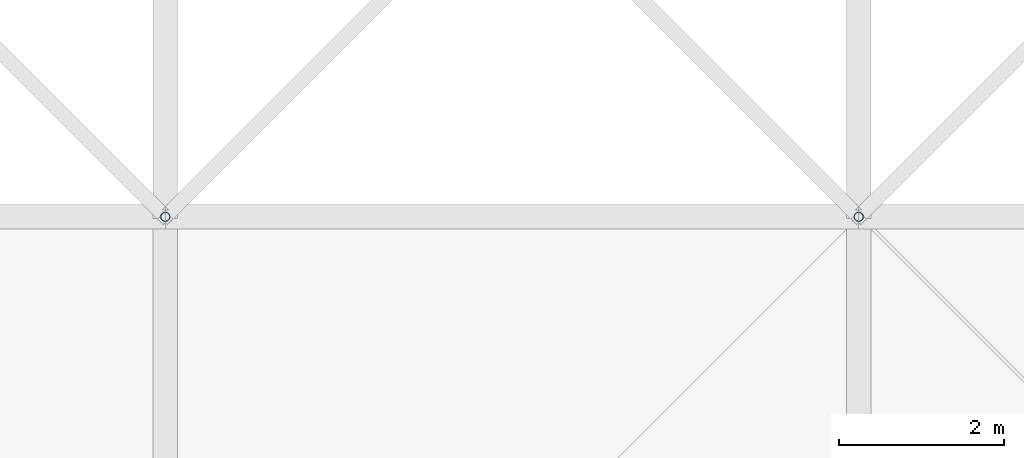
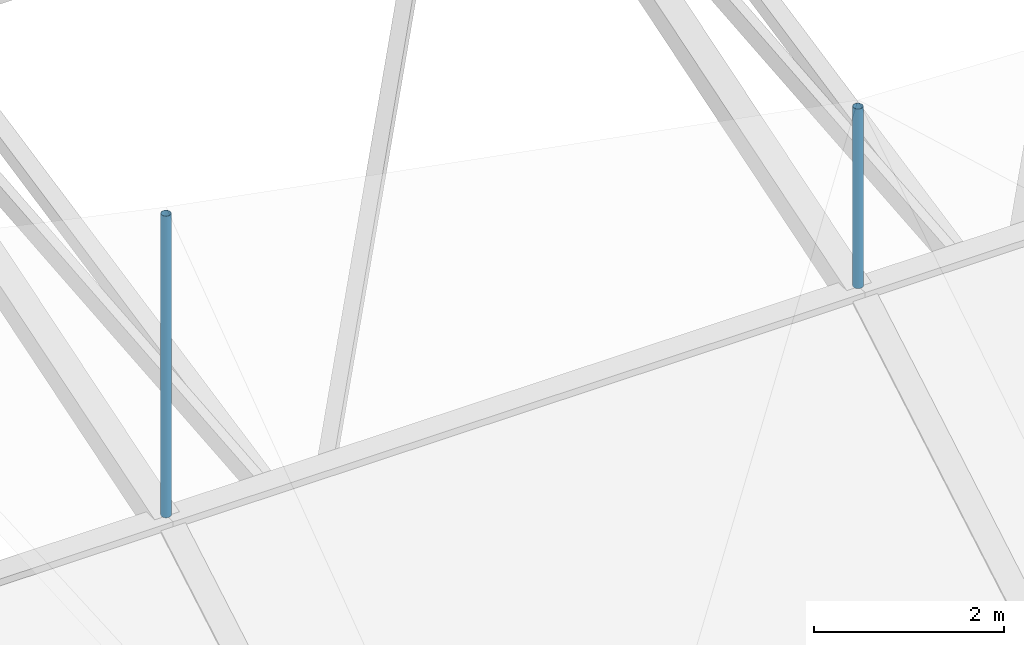
# One storey, part 87 of 111: 2 discrete accessories.
"""IFC4 building model written with IfcOpenShell, lengths in metres."""

from ifc_helpers import new_model, si_unit, direction, frame, origin, origin_2d, place, context, subcontext, project, spatial, hollow_circle, extrude, material, material_profile, profile_set, type_object, element, save


model = new_model("IFC4")

# Units and contexts
model_context = context("Model", 3, precision=1e-05, world=origin(), true_north=direction((0.0, 1.0)))
body_context = subcontext(model_context, "Body", "Model", "MODEL_VIEW")
ifc_project = project(units=[si_unit("LENGTHUNIT", "METRE"), si_unit("AREAUNIT", "SQUARE_METRE"), si_unit("VOLUMEUNIT", "CUBIC_METRE"), si_unit("PLANEANGLEUNIT", "RADIAN"), si_unit("MASSUNIT", "GRAM", prefix="KILO")], contexts=[model_context])

# Site, building, storey
site_placement = place(None, origin())
site = spatial("IfcSite", under=ifc_project, at=site_placement, CompositionType="ELEMENT")
building_placement = place(site_placement, origin())
building = spatial("IfcBuilding", under=site, at=building_placement, Name="Rain Tree Exposition and Congress Centre", CompositionType="ELEMENT")
storey_placement = place(building_placement, frame((0.0, 0.0, 19.5)))
storey = spatial("IfcBuildingStorey", under=building, at=storey_placement, Name="RF", CompositionType="ELEMENT", Elevation=19.5)

# Discrete accessories
ifc_material = material(Name="Steel S355J2H", Category="steel")
ifc_material_profile = material_profile(ifc_material, hollow_circle(Radius=0.05712890625, WallThickness=0.00439453125, at=origin_2d()), Name="CHS 114x4.5")
ifc_profile_set = profile_set([ifc_material_profile], Name="Steel S355J2H")
discrete_accessory_type = type_object("IfcDiscreteAccessoryType", Name="Roof skin post CHS 114x4.5", PredefinedType="BRACKET", material=ifc_profile_set)
discrete_accessory_1_placement = place(storey_placement, frame((226.800048828125, 159.60009765625, 5.39404296875), z_axis=(0.0, 0.0, 1.0), x_axis=(1.0, 0.0, 0.0)))
element("IfcDiscreteAccessory", 1, at=discrete_accessory_1_placement, inside=storey, type_object=discrete_accessory_type, Name="Roof skin post B102", PredefinedType="BRACKET", context=body_context, shape_type="SweptSolid", body=[
    extrude(hollow_circle(Radius=0.05712890625, WallThickness=0.00439453125, at=origin_2d()), origin(), (0.0, 0.0, 1.0), 3.869384765625),
])
discrete_accessory_2_placement = place(storey_placement, frame((235.199951171875, 159.60009765625, 5.39404296875), z_axis=(0.0, 0.0, 1.0), x_axis=(1.0, 0.0, 0.0)))
element("IfcDiscreteAccessory", 2, at=discrete_accessory_2_placement, inside=storey, type_object=discrete_accessory_type, Name="Roof skin post B103", PredefinedType="BRACKET", context=body_context, shape_type="SweptSolid", body=[
    extrude(hollow_circle(Radius=0.05712890625, WallThickness=0.00439453125, at=origin_2d()), origin(), (0.0, 0.0, 1.0), 2.302978515625),
])

save(model, "model.ifc")
